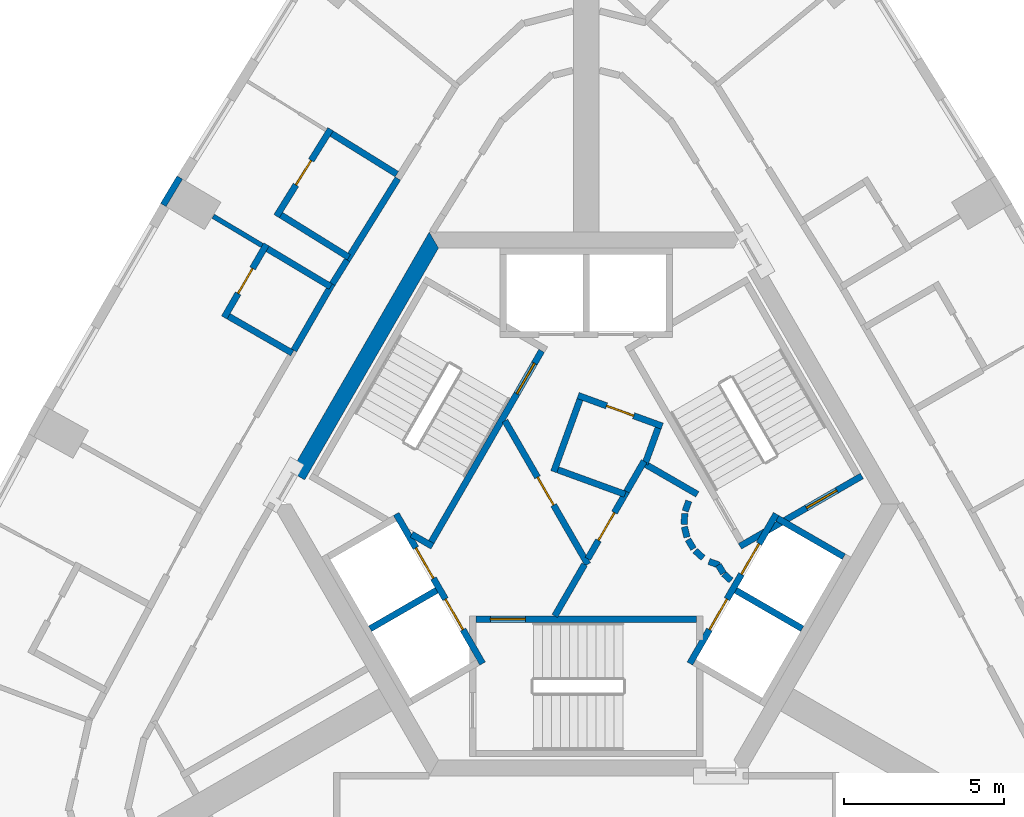
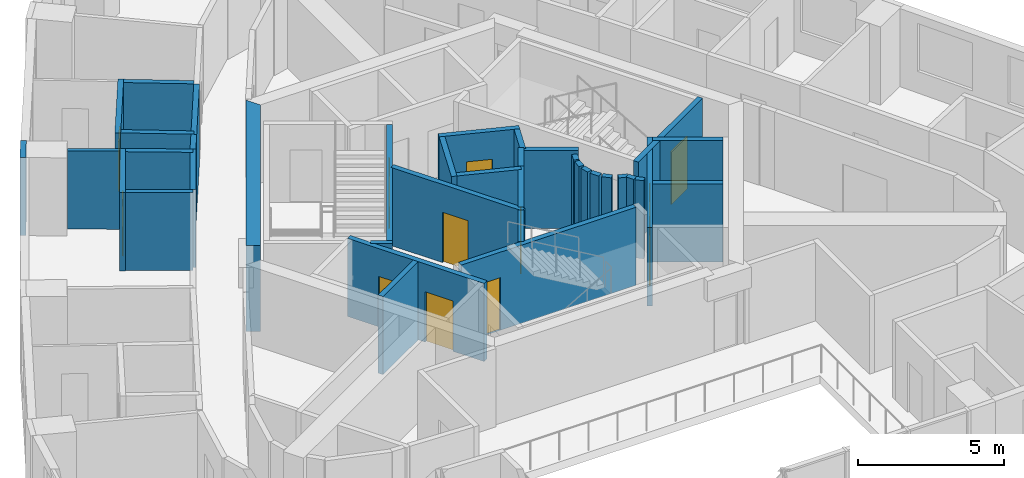
# One storey, part 4 of 10: 38 walls, 12 doors, 12 openings.
"""IFC4 building model written with IfcOpenShell, lengths in metres."""

from ifc_helpers import new_model, si_unit, direction, frame, frame_2d, origin, place, context, subcontext, project, spatial, polyline, rectangle, outline, extrude, material, layer, layer_set, type_object, element, fill, save


model = new_model("IFC4")

# Units and contexts
model_context = context("Model", 3, precision=1e-05, world=origin(), true_north=direction((0.0, 1.0)))
body_context = subcontext(model_context, "Body", "Model", "MODEL_VIEW")
ifc_project = project(units=[si_unit("LENGTHUNIT", "METRE"), si_unit("AREAUNIT", "SQUARE_METRE"), si_unit("VOLUMEUNIT", "CUBIC_METRE"), si_unit("PLANEANGLEUNIT", "RADIAN"), si_unit("MASSUNIT", "GRAM", prefix="KILO")], contexts=[model_context])

# Site, building, storey
site_placement = place(None, origin())
site = spatial("IfcSite", under=ifc_project, at=site_placement, CompositionType="ELEMENT")
building_placement = place(site_placement, origin())
building = spatial("IfcBuilding", under=site, at=building_placement, Name="Entoto Arch Interchange Tower", CompositionType="ELEMENT")
storey_placement = place(building_placement, frame((0.0, 0.0, 293.60009765625)))
storey = spatial("IfcBuildingStorey", under=building, at=storey_placement, Name="L68", CompositionType="ELEMENT", Elevation=293.60009765625)

# Wall
ifc_material_1 = material(Name="Concrete C40/50", Category="concrete")
ifc_layer_1 = layer(ifc_material_1, 0.5)
ifc_layer_set_1 = layer_set([ifc_layer_1], Name="Concrete C40/50")
wall_type_1 = type_object("IfcWallType", Name="Core wall 500 C40/50", PredefinedType="SHEAR", material=ifc_layer_set_1)
wall_1_placement = place(storey_placement, frame((0.0, 0.0, -0.340087890625)))
element("IfcWall", 1, at=wall_1_placement, inside=storey, type_object=wall_type_1, Name="Core wall NW L68", PredefinedType="SHEAR", context=body_context, shape_type="SweptSolid", body=[
    extrude(outline(polyline([(-9.236083984375, 3.501953125), (-8.802978515625, 3.2529296875), (-4.618896484375, 10.5), (-4.906982421875, 11.0), (-9.236083984375, 3.501953125)])), origin(), (0.0, 0.0, 1.0), 3.60009765625),
])

# Wall, openings, doors
ifc_layer_2 = layer(ifc_material_1, 0.199951171875)
ifc_layer_set_2 = layer_set([ifc_layer_2], Name="Concrete C40/50")
wall_type_2 = type_object("IfcWallType", Name="LIFT SHAFT WALL 200", PredefinedType="STANDARD", material=ifc_layer_set_2)
wall_2_placement = place(storey_placement, frame((-5.93994140625, 2.18798828125, 0.0), z_axis=(0.0, 0.0, 1.0), x_axis=(0.500034260056, -0.866005622828, 0.0)))
wall_2 = element("IfcWall", 2, at=wall_2_placement, inside=storey, type_object=wall_type_2, Name="Shaft wall SW1 front", PredefinedType="STANDARD", context=body_context, shape_type="SweptSolid", body=[
    extrude(rectangle(XDim=5.3994140625, YDim=0.199951171875, at=frame_2d((2.69970703125, 0.0))), origin(), (0.0, 0.0, 1.0), 3.260009765625),
])
opening_1_placement = place(wall_2_placement, frame((3.074951171875, 0.0, 0.0)))
opening_1 = element("IfcOpeningElement", 3, at=opening_1_placement, cuts=wall_2, Name="Opening LD-HR4-L68", PredefinedType="OPENING", context=body_context, shape_type="SweptSolid", body=[
    extrude(rectangle(XDim=1.10009765625, YDim=2.10009765625, at=frame_2d((0.550048828125, 1.050048828125))), frame((0.0, 0.10986328125, 0.0), z_axis=(0.0, -1.0, 0.0), x_axis=(1.0, 0.0, 0.0)), (0.0, 0.0, 1.0), 0.219970703125),
])
opening_2_placement = place(wall_2_placement, frame((1.22509765625, 0.0, 0.0)))
opening_2 = element("IfcOpeningElement", 4, at=opening_2_placement, cuts=wall_2, Name="Opening LD-FF2-L68", PredefinedType="OPENING", context=body_context, shape_type="SweptSolid", body=[
    extrude(rectangle(XDim=1.10009765625, YDim=2.10009765625, at=frame_2d((0.550048828125, 1.050048828125))), frame((0.0, 0.10986328125, 0.0), z_axis=(0.0, -1.0, 0.0), x_axis=(1.0, 0.0, 0.0)), (0.0, 0.0, 1.0), 0.219970703125),
])
ifc_material_2 = material(Name="Stainless steel 1.4301 panels", Category="steel")
door_type_1 = type_object("IfcDoorType", Name="LIFT LANDING DOOR LD1 1100x2100", OperationType="SLIDING_TO_LEFT", PredefinedType="DOOR", material=ifc_material_2)
door_1_placement = place(opening_1_placement, origin())
door_1 = element("IfcDoor", 5, at=door_1_placement, inside=storey, type_object=door_type_1, Name="Lift landing door HR4 L68", OperationType="SLIDING_TO_LEFT", OverallHeight=2.10009765625, OverallWidth=1.10009765625, PredefinedType="DOOR", context=body_context, shape_type="SweptSolid", body=[
    extrude(rectangle(XDim=1.10009765625, YDim=2.10009765625, at=frame_2d((0.550048828125, 1.050048828125))), frame((0.0, 0.02490234375, 0.0), z_axis=(0.0, -1.0, 0.0), x_axis=(1.0, 0.0, 0.0)), (0.0, 0.0, 1.0), 0.050048828125),
])
fill(opening_1, door_1)
door_2_placement = place(opening_2_placement, origin())
door_2 = element("IfcDoor", 6, at=door_2_placement, inside=storey, type_object=door_type_1, Name="Lift landing door FF2 L68", OperationType="SLIDING_TO_LEFT", OverallHeight=2.10009765625, OverallWidth=1.10009765625, PredefinedType="DOOR", context=body_context, shape_type="SweptSolid", body=[
    extrude(rectangle(XDim=1.10009765625, YDim=2.10009765625, at=frame_2d((0.550048828125, 1.050048828125))), frame((0.0, 0.02490234375, 0.0), z_axis=(0.0, -1.0, 0.0), x_axis=(1.0, 0.0, 0.0)), (0.0, 0.0, 1.0), 0.050048828125),
])
fill(opening_2, door_2)

# Wall
wall_3_placement = place(storey_placement, frame((-4.677001953125, -0.199951171875, 0.0), z_axis=(0.0, 0.0, 1.0), x_axis=(-0.865973769406, -0.500089422704, 0.0)))
element("IfcWall", 7, at=wall_3_placement, inside=storey, type_object=wall_type_2, Name="Shaft wall SW1 cross 2", PredefinedType="STANDARD", context=body_context, shape_type="SweptSolid", body=[
    extrude(rectangle(XDim=2.3994140625, YDim=0.199951171875, at=frame_2d((1.19970703125, 0.0))), origin(), (0.0, 0.0, 1.0), 3.260009765625),
])

# Wall, openings, doors
wall_4_placement = place(storey_placement, frame((3.239990234375, -2.488037109375, 0.0), z_axis=(0.0, 0.0, 1.0), x_axis=(0.500034260056, 0.866005622828, 0.0)))
wall_4 = element("IfcWall", 8, at=wall_4_placement, inside=storey, type_object=wall_type_2, Name="Shaft wall SE1 front", PredefinedType="STANDARD", context=body_context, shape_type="SweptSolid", body=[
    extrude(rectangle(XDim=5.3994140625, YDim=0.199951171875, at=frame_2d((2.69970703125, 0.0))), origin(), (0.0, 0.0, 1.0), 3.260009765625),
])
opening_3_placement = place(wall_4_placement, frame((3.22509765625, 0.0, 0.0)))
opening_3 = element("IfcOpeningElement", 9, at=opening_3_placement, cuts=wall_4, Name="Opening LD-HR3-L68", PredefinedType="OPENING", context=body_context, shape_type="SweptSolid", body=[
    extrude(rectangle(XDim=1.10009765625, YDim=2.10009765625, at=frame_2d((0.550048828125, 1.050048828125))), frame((0.0, 0.10986328125, 0.0), z_axis=(0.0, -1.0, 0.0), x_axis=(1.0, 0.0, 0.0)), (0.0, 0.0, 1.0), 0.219970703125),
])
opening_4_placement = place(wall_4_placement, frame((1.22509765625, 0.0, 0.0)))
opening_4 = element("IfcOpeningElement", 10, at=opening_4_placement, cuts=wall_4, Name="Opening LD-FF1-L68", PredefinedType="OPENING", context=body_context, shape_type="SweptSolid", body=[
    extrude(rectangle(XDim=1.10009765625, YDim=2.10009765625, at=frame_2d((0.550048828125, 1.050048828125))), frame((0.0, 0.10986328125, 0.0), z_axis=(0.0, -1.0, 0.0), x_axis=(1.0, 0.0, 0.0)), (0.0, 0.0, 1.0), 0.219970703125),
])
door_3_placement = place(opening_3_placement, origin())
door_3 = element("IfcDoor", 11, at=door_3_placement, inside=storey, type_object=door_type_1, Name="Lift landing door HR3 L68", OperationType="SLIDING_TO_LEFT", OverallHeight=2.10009765625, OverallWidth=1.10009765625, PredefinedType="DOOR", context=body_context, shape_type="SweptSolid", body=[
    extrude(rectangle(XDim=1.10009765625, YDim=2.10009765625, at=frame_2d((0.550048828125, 1.050048828125))), frame((0.0, 0.02490234375, 0.0), z_axis=(0.0, -1.0, 0.0), x_axis=(1.0, 0.0, 0.0)), (0.0, 0.0, 1.0), 0.050048828125),
])
fill(opening_3, door_3)
door_4_placement = place(opening_4_placement, origin())
door_4 = element("IfcDoor", 12, at=door_4_placement, inside=storey, type_object=door_type_1, Name="Lift landing door FF1 L68", OperationType="SLIDING_TO_LEFT", OverallHeight=2.10009765625, OverallWidth=1.10009765625, PredefinedType="DOOR", context=body_context, shape_type="SweptSolid", body=[
    extrude(rectangle(XDim=1.10009765625, YDim=2.10009765625, at=frame_2d((0.550048828125, 1.050048828125))), frame((0.0, 0.02490234375, 0.0), z_axis=(0.0, -1.0, 0.0), x_axis=(1.0, 0.0, 0.0)), (0.0, 0.0, 1.0), 0.050048828125),
])
fill(opening_4, door_4)

# Walls
for number, where, z_axis, x_axis, name in (
    (13, (4.677001953125, -0.199951171875, 0.0), (0.0, 0.0, 1.0), (0.865973769406, -0.500089422704, 0.0), "Shaft wall SE1 cross 2"),
    (14, (5.97705078125, 2.052001953125, 0.0), (0.0, 0.0, 1.0), (0.865973769406, -0.500089422704, 0.0), "Shaft wall SE1 cross 3"),
):
    element("IfcWall", number, at=place(storey_placement, frame(where, z_axis=z_axis, x_axis=x_axis)), inside=storey, type_object=wall_type_2, Name=name, PredefinedType="STANDARD", context=body_context, shape_type="SweptSolid", body=[
        extrude(rectangle(XDim=2.3994140625, YDim=0.199951171875, at=frame_2d((1.19970703125, 0.0))), origin(), (0.0, 0.0, 1.0), 3.260009765625),
    ])
ifc_material_3 = material(Name="Gypsum board partition on steel studs", Category="steel")
ifc_layer_3 = layer(ifc_material_3, 0.14990234375)
ifc_layer_set_3 = layer_set([ifc_layer_3], Name="Gypsum board partition on steel studs")
wall_type_3 = type_object("IfcWallType", Name="PARTITION 150", PredefinedType="PARTITIONING", material=ifc_layer_set_3)
wall_5_placement = place(storey_placement, frame((-10.133056640625, 10.580078125, 0.0), z_axis=(0.0, 0.0, 1.0), x_axis=(-0.857903919212, 0.513810145287, 0.0)))
element("IfcWall", 15, at=wall_5_placement, inside=storey, type_object=wall_type_3, Name="wall:L68:p117", PredefinedType="PARTITIONING", context=body_context, shape_type="SweptSolid", body=[
    extrude(rectangle(XDim=1.781005859375, YDim=0.14990234375, at=frame_2d((0.890625, 0.0))), origin(), (0.0, 0.0, 1.0), 3.260009765625),
])
ifc_layer_4 = layer(ifc_material_3, 0.199951171875)
ifc_layer_set_4 = layer_set([ifc_layer_4], Name="Gypsum board partition on steel studs")
wall_type_4 = type_object("IfcWallType", Name="PARTITION 200", PredefinedType="PARTITIONING", material=ifc_layer_set_4)
wall_6_placement = place(storey_placement, frame((1.263916015625, 2.889892578125, 0.0), z_axis=(0.0, 0.0, 1.0), x_axis=(0.500043792738, 0.866000118559, 0.0)))
element("IfcWall", 16, at=wall_6_placement, inside=storey, type_object=wall_type_4, Name="wall:L68:p001", PredefinedType="PARTITIONING", context=body_context, shape_type="SweptSolid", body=[
    extrude(rectangle(XDim=1.09619140625, YDim=0.199951171875, at=frame_2d((0.548095703125, 0.0))), origin(), (0.0, 0.0, 1.0), 3.260009765625),
])
wall_7_placement = place(storey_placement, frame((1.837890625, 3.748046875, 0.0), z_axis=(0.0, 0.0, 1.0), x_axis=(0.342266462435, 0.939602931398, 0.0)))
element("IfcWall", 17, at=wall_7_placement, inside=storey, type_object=wall_type_4, Name="wall:L68:p002", PredefinedType="PARTITIONING", context=body_context, shape_type="SweptSolid", body=[
    extrude(rectangle(XDim=1.1982421875, YDim=0.199951171875, at=frame_2d((0.59912109375, 0.0))), origin(), (0.0, 0.0, 1.0), 3.260009765625),
])

# Wall, opening, door
wall_8_placement = place(storey_placement, frame((2.3759765625, 4.93408203125, 0.0), z_axis=(0.0, 0.0, 1.0), x_axis=(-0.939640574808, 0.342163104635, 0.0)))
wall_8 = element("IfcWall", 18, at=wall_8_placement, inside=storey, type_object=wall_type_4, Name="wall:L68:p003", PredefinedType="PARTITIONING", context=body_context, shape_type="SweptSolid", body=[
    extrude(rectangle(XDim=2.7998046875, YDim=0.199951171875, at=frame_2d((1.39990234375, 0.0))), origin(), (0.0, 0.0, 1.0), 3.260009765625),
])
opening_5_placement = place(wall_8_placement, frame((0.949951171875, 0.0, 0.0)))
opening_5 = element("IfcOpeningElement", 19, at=opening_5_placement, cuts=wall_8, Name="Opening L68-D36", PredefinedType="OPENING", context=body_context, shape_type="SweptSolid", body=[
    extrude(rectangle(XDim=0.89990234375, YDim=2.10009765625, at=frame_2d((0.449951171875, 1.050048828125))), frame((0.0, 0.10986328125, 0.0), z_axis=(0.0, -1.0, 0.0), x_axis=(1.0, 0.0, 0.0)), (0.0, 0.0, 1.0), 0.219970703125),
])
ifc_material_4 = material(Name="Timber door leaf in Steel S235 frame", Category="steel")
door_type_2 = type_object("IfcDoorType", Name="DOOR DS-09 900x2100", OperationType="SINGLE_SWING_LEFT", PredefinedType="DOOR", material=ifc_material_4)
door_5_placement = place(opening_5_placement, origin())
door_5 = element("IfcDoor", 20, at=door_5_placement, inside=storey, type_object=door_type_2, Name="door:L68:36", OperationType="SINGLE_SWING_LEFT", OverallHeight=2.10009765625, OverallWidth=0.89990234375, PredefinedType="DOOR", context=body_context, shape_type="SweptSolid", body=[
    extrude(rectangle(XDim=0.89990234375, YDim=2.10009765625, at=frame_2d((0.449951171875, 1.050048828125))), frame((0.0, 0.02490234375, 0.0), z_axis=(0.0, -1.0, 0.0), x_axis=(1.0, 0.0, 0.0)), (0.0, 0.0, 1.0), 0.050048828125),
])
fill(opening_5, door_5)

# Walls
wall_9_placement = place(storey_placement, frame((-0.196044921875, 5.763916015625, 0.0), z_axis=(0.0, 0.0, 1.0), x_axis=(-0.34165322761, -0.939826086073, 0.0)))
element("IfcWall", 21, at=wall_9_placement, inside=storey, type_object=wall_type_4, Name="wall:L68:p004", PredefinedType="PARTITIONING", context=body_context, shape_type="SweptSolid", body=[
    extrude(rectangle(XDim=2.400390625, YDim=0.199951171875, at=frame_2d((1.2001953125, 0.0))), origin(), (0.0, 0.0, 1.0), 3.260009765625),
])
wall_10_placement = place(storey_placement, frame((-0.887939453125, 3.568115234375, 0.0), z_axis=(0.0, 0.0, 1.0), x_axis=(0.939685034098, -0.34204098686, 0.0)))
element("IfcWall", 22, at=wall_10_placement, inside=storey, type_object=wall_type_4, Name="wall:L68:p005", PredefinedType="PARTITIONING", context=body_context, shape_type="SweptSolid", body=[
    extrude(rectangle(XDim=2.237060546875, YDim=0.199951171875, at=frame_2d((1.11865234375, 0.0))), origin(), (0.0, 0.0, 1.0), 3.260009765625),
])
wall_11_placement = place(storey_placement, frame((-7.93701171875, 9.3798828125, 0.0), z_axis=(0.0, 0.0, 1.0), x_axis=(0.52850186976, 0.848932137252, 0.0)))
element("IfcWall", 23, at=wall_11_placement, inside=storey, type_object=wall_type_4, Name="wall:L68:p047", PredefinedType="PARTITIONING", context=body_context, shape_type="SweptSolid", body=[
    extrude(rectangle(XDim=0.880126953125, YDim=0.199951171875, at=frame_2d((0.43994140625, 0.0))), origin(), (0.0, 0.0, 1.0), 3.260009765625),
])
wall_12_placement = place(storey_placement, frame((-7.471923828125, 10.126953125, 0.0), z_axis=(0.0, 0.0, 1.0), x_axis=(0.527707224705, 0.849426326996, 0.0)))
element("IfcWall", 24, at=wall_12_placement, inside=storey, type_object=wall_type_4, Name="wall:L68:p048", PredefinedType="PARTITIONING", context=body_context, shape_type="SweptSolid", body=[
    extrude(rectangle(XDim=2.999755859375, YDim=0.199951171875, at=frame_2d((1.5, 0.0))), origin(), (0.0, 0.0, 1.0), 3.260009765625),
])
wall_13_placement = place(storey_placement, frame((-9.138916015625, 7.302978515625, 0.0), z_axis=(0.0, 0.0, 1.0), x_axis=(0.499869187296, 0.866100915363, 0.0)))
element("IfcWall", 25, at=wall_13_placement, inside=storey, type_object=wall_type_4, Name="wall:L68:p050", PredefinedType="PARTITIONING", context=body_context, shape_type="SweptSolid", body=[
    extrude(rectangle(XDim=2.400634765625, YDim=0.199951171875, at=frame_2d((1.2001953125, 0.0))), origin(), (0.0, 0.0, 1.0), 3.260009765625),
])
wall_14_placement = place(storey_placement, frame((-0.98193359375, -1.0, 0.0), z_axis=(0.0, 0.0, 1.0), x_axis=(0.50024047865, 0.865886518847, 0.0)))
element("IfcWall", 26, at=wall_14_placement, inside=storey, type_object=wall_type_4, Name="wall:L68:p061", PredefinedType="PARTITIONING", context=body_context, shape_type="SweptSolid", body=[
    extrude(rectangle(XDim=1.86279296875, YDim=0.199951171875, at=frame_2d((0.931396484375, 0.0))), origin(), (0.0, 0.0, 1.0), 3.260009765625),
])

# Wall, opening, door
wall_15_placement = place(storey_placement, frame((0.050048828125, 0.787109375, 0.0), z_axis=(0.0, 0.0, 1.0), x_axis=(0.499945861543, 0.866056658381, 0.0)))
wall_15 = element("IfcWall", 27, at=wall_15_placement, inside=storey, type_object=wall_type_4, Name="wall:L68:p062", PredefinedType="PARTITIONING", context=body_context, shape_type="SweptSolid", body=[
    extrude(rectangle(XDim=2.427978515625, YDim=0.199951171875, at=frame_2d((1.2138671875, 0.0))), origin(), (0.0, 0.0, 1.0), 3.260009765625),
])
opening_6_placement = place(wall_15_placement, frame((0.6640625, 0.0, 0.0)))
opening_6 = element("IfcOpeningElement", 28, at=opening_6_placement, cuts=wall_15, Name="Opening L68-D34", PredefinedType="OPENING", context=body_context, shape_type="SweptSolid", body=[
    extrude(rectangle(XDim=1.0, YDim=2.10009765625, at=frame_2d((0.5, 1.050048828125))), frame((0.0, 0.10986328125, 0.0), z_axis=(0.0, -1.0, 0.0), x_axis=(1.0, 0.0, 0.0)), (0.0, 0.0, 1.0), 0.219970703125),
])
ifc_material_5 = material(Name="Fire-rated Steel S235 door and frame", Category="steel")
door_type_3 = type_object("IfcDoorType", Name="DOOR FD-10 1000x2100", OperationType="SINGLE_SWING_LEFT", PredefinedType="DOOR", material=ifc_material_5)
door_6_placement = place(opening_6_placement, origin())
door_6 = element("IfcDoor", 29, at=door_6_placement, inside=storey, type_object=door_type_3, Name="door:L68:34", OperationType="SINGLE_SWING_RIGHT", OverallHeight=2.10009765625, OverallWidth=1.0, PredefinedType="DOOR", context=body_context, shape_type="SweptSolid", body=[
    extrude(rectangle(XDim=1.0, YDim=2.10009765625, at=frame_2d((0.5, 1.050048828125))), frame((0.0, 0.02490234375, 0.0), z_axis=(0.0, -1.0, 0.0), x_axis=(1.0, 0.0, 0.0)), (0.0, 0.0, 1.0), 0.050048828125),
])
fill(opening_6, door_6)

# Walls
wall_16_placement = place(storey_placement, frame((1.7509765625, 3.798095703125, 0.0), z_axis=(0.0, 0.0, 1.0), x_axis=(0.866091650241, -0.499885240213, 0.0)))
element("IfcWall", 30, at=wall_16_placement, inside=storey, type_object=wall_type_4, Name="wall:L68:p063", PredefinedType="PARTITIONING", context=body_context, shape_type="SweptSolid", body=[
    extrude(rectangle(XDim=1.99072265625, YDim=0.199951171875, at=frame_2d((0.995361328125, 0.0))), origin(), (0.0, 0.0, 1.0), 3.260009765625),
])
wall_17_placement = place(storey_placement, frame((3.2080078125, 2.592041015625, 0.0), z_axis=(0.0, 0.0, 1.0), x_axis=(-0.337388820924, -0.941365382578, 0.0)))
element("IfcWall", 31, at=wall_17_placement, inside=storey, type_object=wall_type_4, Name="wall:L68:p064", PredefinedType="PARTITIONING", context=body_context, shape_type="SweptSolid", body=[
    extrude(rectangle(XDim=0.337890625, YDim=0.199951171875, at=frame_2d((0.1689453125, 0.0))), origin(), (0.0, 0.0, 1.0), 3.260009765625),
])
wall_18_placement = place(storey_placement, frame((3.0791015625, 2.198974609375, 0.0), z_axis=(0.0, 0.0, 1.0), x_axis=(-0.047771483479, -0.998858290933, 0.0)))
element("IfcWall", 32, at=wall_18_placement, inside=storey, type_object=wall_type_4, Name="wall:L68:p065", PredefinedType="PARTITIONING", context=body_context, shape_type="SweptSolid", body=[
    extrude(rectangle(XDim=0.33740234375, YDim=0.199951171875, at=frame_2d((0.168701171875, 0.0))), origin(), (0.0, 0.0, 1.0), 3.260009765625),
])
wall_19_placement = place(storey_placement, frame((3.070068359375, 1.785888671875, 0.0), z_axis=(0.0, 0.0, 1.0), x_axis=(0.242705583207, -0.970099994784, 0.0)))
element("IfcWall", 33, at=wall_19_placement, inside=storey, type_object=wall_type_4, Name="wall:L68:p066", PredefinedType="PARTITIONING", context=body_context, shape_type="SweptSolid", body=[
    extrude(rectangle(XDim=0.337890625, YDim=0.199951171875, at=frame_2d((0.1689453125, 0.0))), origin(), (0.0, 0.0, 1.0), 3.260009765625),
])
for number, where, z_axis, x_axis, name in (
    (34, (3.181884765625, 1.387939453125, 0.0), (0.0, 0.0, 1.0), (0.512474702713, -0.85870232274, 0.0), "wall:L68:p067"),
    (35, (3.404052734375, 1.0390625, 0.0), (0.0, 0.0, 1.0), (0.740267097712, -0.672312891476, 0.0), "wall:L68:p068"),
):
    element("IfcWall", number, at=place(storey_placement, frame(where, z_axis=z_axis, x_axis=x_axis)), inside=storey, type_object=wall_type_4, Name=name, PredefinedType="PARTITIONING", context=body_context, shape_type="SweptSolid", body=[
        extrude(rectangle(XDim=0.337646484375, YDim=0.199951171875, at=frame_2d((0.1689453125, 0.0))), origin(), (0.0, 0.0, 1.0), 3.260009765625),
    ])
wall_20_placement = place(storey_placement, frame((3.837890625, 0.701904296875, 0.0), z_axis=(0.0, 0.0, 1.0), x_axis=(0.941035081519, -0.338308993895, 0.0)))
element("IfcWall", 36, at=wall_20_placement, inside=storey, type_object=wall_type_4, Name="wall:L68:p069", PredefinedType="PARTITIONING", context=body_context, shape_type="SweptSolid", body=[
    extrude(rectangle(XDim=0.3369140625, YDim=0.199951171875, at=frame_2d((0.16845703125, 0.0))), origin(), (0.0, 0.0, 1.0), 3.260009765625),
])
wall_21_placement = place(storey_placement, frame((4.132080078125, 0.593017578125, 0.0), z_axis=(0.0, 0.0, 1.0), x_axis=(0.513561617048, -0.858052717201, 0.0)))
element("IfcWall", 37, at=wall_21_placement, inside=storey, type_object=wall_type_4, Name="wall:L68:p070", PredefinedType="PARTITIONING", context=body_context, shape_type="SweptSolid", body=[
    extrude(rectangle(XDim=0.3076171875, YDim=0.199951171875, at=frame_2d((0.15380859375, 0.0))), origin(), (0.0, 0.0, 1.0), 3.260009765625),
])
wall_22_placement = place(storey_placement, frame((4.301025390625, 0.31494140625, 0.0), z_axis=(0.0, 0.0, 1.0), x_axis=(0.741798017506, -0.670623367639, 0.0)))
element("IfcWall", 38, at=wall_22_placement, inside=storey, type_object=wall_type_4, Name="wall:L68:p071", PredefinedType="PARTITIONING", context=body_context, shape_type="SweptSolid", body=[
    extrude(rectangle(XDim=0.30859375, YDim=0.199951171875, at=frame_2d((0.154296875, 0.0))), origin(), (0.0, 0.0, 1.0), 3.260009765625),
])

# Wall, opening, door
wall_23_placement = place(storey_placement, frame((-2.5400390625, 5.10009765625, 0.0), z_axis=(0.0, 0.0, 1.0), x_axis=(0.499925051871, -0.866068670783, 0.0)))
wall_23 = element("IfcWall", 39, at=wall_23_placement, inside=storey, type_object=wall_type_4, Name="wall:L68:p072", PredefinedType="PARTITIONING", context=body_context, shape_type="SweptSolid", body=[
    extrude(rectangle(XDim=5.180908203125, YDim=0.199951171875, at=frame_2d((2.59033203125, 0.0))), origin(), (0.0, 0.0, 1.0), 3.260009765625),
])
opening_7_placement = place(wall_23_placement, frame((2.0400390625, 0.0, 0.0)))
opening_7 = element("IfcOpeningElement", 40, at=opening_7_placement, cuts=wall_23, Name="Opening L68-D35", PredefinedType="OPENING", context=body_context, shape_type="SweptSolid", body=[
    extrude(rectangle(XDim=1.0, YDim=2.10009765625, at=frame_2d((0.5, 1.050048828125))), frame((0.0, 0.10986328125, 0.0), z_axis=(0.0, -1.0, 0.0), x_axis=(1.0, 0.0, 0.0)), (0.0, 0.0, 1.0), 0.219970703125),
])
door_7_placement = place(opening_7_placement, origin())
door_7 = element("IfcDoor", 41, at=door_7_placement, inside=storey, type_object=door_type_3, Name="door:L68:35", OperationType="SINGLE_SWING_RIGHT", OverallHeight=2.10009765625, OverallWidth=1.0, PredefinedType="DOOR", context=body_context, shape_type="SweptSolid", body=[
    extrude(rectangle(XDim=1.0, YDim=2.10009765625, at=frame_2d((0.5, 1.050048828125))), frame((0.0, 0.02490234375, 0.0), z_axis=(0.0, -1.0, 0.0), x_axis=(1.0, 0.0, 0.0)), (0.0, 0.0, 1.0), 0.050048828125),
])
fill(opening_7, door_7)

# Wall
wall_24_placement = place(storey_placement, frame((-5.9208984375, 12.81298828125, 0.0), z_axis=(0.0, 0.0, 1.0), x_axis=(-0.849366650736, 0.527803270752, 0.0)))
element("IfcWall", 42, at=wall_24_placement, inside=storey, type_object=wall_type_4, Name="wall:L68:p114", PredefinedType="PARTITIONING", context=body_context, shape_type="SweptSolid", body=[
    extrude(rectangle(XDim=2.400634765625, YDim=0.199951171875, at=frame_2d((1.2001953125, 0.0))), origin(), (0.0, 0.0, 1.0), 3.260009765625),
])

# Wall, opening, door
wall_25_placement = place(storey_placement, frame((-7.991943359375, 14.217041015625, 0.0), z_axis=(0.0, 0.0, 1.0), x_axis=(-0.527795797674, -0.849371294522, 0.0)))
wall_25 = element("IfcWall", 43, at=wall_25_placement, inside=storey, type_object=wall_type_4, Name="wall:L68:p115", PredefinedType="PARTITIONING", context=body_context, shape_type="SweptSolid", body=[
    extrude(rectangle(XDim=3.199951171875, YDim=0.199951171875, at=frame_2d((1.60009765625, 0.0))), origin(), (0.0, 0.0, 1.0), 3.260009765625),
])
opening_8_placement = place(wall_25_placement, frame((1.14990234375, 0.0, 0.0)))
opening_8 = element("IfcOpeningElement", 44, at=opening_8_placement, cuts=wall_25, Name="Opening L68-D18", PredefinedType="OPENING", context=body_context, shape_type="SweptSolid", body=[
    extrude(rectangle(XDim=0.89990234375, YDim=2.10009765625, at=frame_2d((0.449951171875, 1.050048828125))), frame((0.0, 0.10986328125, 0.0), z_axis=(0.0, -1.0, 0.0), x_axis=(1.0, 0.0, 0.0)), (0.0, 0.0, 1.0), 0.219970703125),
])
door_8_placement = place(opening_8_placement, origin())
door_8 = element("IfcDoor", 45, at=door_8_placement, inside=storey, type_object=door_type_2, Name="door:L68:18", OperationType="SINGLE_SWING_LEFT", OverallHeight=2.10009765625, OverallWidth=0.89990234375, PredefinedType="DOOR", context=body_context, shape_type="SweptSolid", body=[
    extrude(rectangle(XDim=0.89990234375, YDim=2.10009765625, at=frame_2d((0.449951171875, 1.050048828125))), frame((0.0, 0.02490234375, 0.0), z_axis=(0.0, -1.0, 0.0), x_axis=(1.0, 0.0, 0.0)), (0.0, 0.0, 1.0), 0.050048828125),
])
fill(opening_8, door_8)

# Walls
wall_26_placement = place(storey_placement, frame((-9.54296875, 11.531005859375, 0.0), z_axis=(0.0, 0.0, 1.0), x_axis=(0.849400119549, -0.527749407305, 0.0)))
element("IfcWall", 46, at=wall_26_placement, inside=storey, type_object=wall_type_4, Name="wall:L68:p116", PredefinedType="PARTITIONING", context=body_context, shape_type="SweptSolid", body=[
    extrude(rectangle(XDim=2.49951171875, YDim=0.199951171875, at=frame_2d((1.249755859375, 0.0))), origin(), (0.0, 0.0, 1.0), 3.260009765625),
])
wall_27_placement = place(storey_placement, frame((-7.989013671875, 9.294921875, 0.0), z_axis=(0.0, 0.0, 1.0), x_axis=(-0.857801856135, 0.513980520654, 0.0)))
element("IfcWall", 47, at=wall_27_placement, inside=storey, type_object=wall_type_4, Name="wall:L68:p118", PredefinedType="PARTITIONING", context=body_context, shape_type="SweptSolid", body=[
    extrude(rectangle(XDim=2.300048828125, YDim=0.199951171875, at=frame_2d((1.14990234375, 0.0))), origin(), (0.0, 0.0, 1.0), 3.260009765625),
])

# Wall, opening, door
wall_28_placement = place(storey_placement, frame((-9.9970703125, 10.614990234375, 0.0), z_axis=(0.0, 0.0, 1.0), x_axis=(-0.500525697837, -0.865721679182, 0.0)))
wall_28 = element("IfcWall", 48, at=wall_28_placement, inside=storey, type_object=wall_type_4, Name="wall:L68:p119", PredefinedType="PARTITIONING", context=body_context, shape_type="SweptSolid", body=[
    extrude(rectangle(XDim=2.639404296875, YDim=0.199951171875, at=frame_2d((1.31982421875, 0.0))), origin(), (0.0, 0.0, 1.0), 3.260009765625),
])
opening_9_placement = place(wall_28_placement, frame((0.868896484375, 0.0, 0.0)))
opening_9 = element("IfcOpeningElement", 49, at=opening_9_placement, cuts=wall_28, Name="Opening L68-D20", PredefinedType="OPENING", context=body_context, shape_type="SweptSolid", body=[
    extrude(rectangle(XDim=0.89990234375, YDim=2.10009765625, at=frame_2d((0.449951171875, 1.050048828125))), frame((0.0, 0.10986328125, 0.0), z_axis=(0.0, -1.0, 0.0), x_axis=(1.0, 0.0, 0.0)), (0.0, 0.0, 1.0), 0.219970703125),
])
door_9_placement = place(opening_9_placement, origin())
door_9 = element("IfcDoor", 50, at=door_9_placement, inside=storey, type_object=door_type_2, Name="door:L68:20", OperationType="SINGLE_SWING_LEFT", OverallHeight=2.10009765625, OverallWidth=0.89990234375, PredefinedType="DOOR", context=body_context, shape_type="SweptSolid", body=[
    extrude(rectangle(XDim=0.89990234375, YDim=2.10009765625, at=frame_2d((0.449951171875, 1.050048828125))), frame((0.0, 0.02490234375, 0.0), z_axis=(0.0, -1.0, 0.0), x_axis=(1.0, 0.0, 0.0)), (0.0, 0.0, 1.0), 0.050048828125),
])
fill(opening_9, door_9)

# Wall
wall_29_placement = place(storey_placement, frame((-11.180908203125, 8.366943359375, 0.0), z_axis=(0.0, 0.0, 1.0), x_axis=(0.866053019151, -0.499952165731, 0.0)))
element("IfcWall", 51, at=wall_29_placement, inside=storey, type_object=wall_type_4, Name="wall:L68:p120", PredefinedType="PARTITIONING", context=body_context, shape_type="SweptSolid", body=[
    extrude(rectangle(XDim=2.300048828125, YDim=0.199951171875, at=frame_2d((1.14990234375, 0.0))), origin(), (0.0, 0.0, 1.0), 3.260009765625),
])

# Wall, opening, door
ifc_layer_5 = layer(ifc_material_1, 0.199951171875)
ifc_layer_set_5 = layer_set([ifc_layer_5], Name="Concrete C40/50")
wall_type_5 = type_object("IfcWallType", Name="STAIR ENCLOSURE WALL 200", PredefinedType="STANDARD", material=ifc_layer_set_5)
wall_30_placement = place(storey_placement, frame((-3.449951171875, -1.10009765625, 0.0), z_axis=(0.0, 0.0, 1.0), x_axis=(1.0, 0.0, 0.0)))
wall_30 = element("IfcWall", 52, at=wall_30_placement, inside=storey, type_object=wall_type_5, Name="Stair wall ST-S hall", PredefinedType="STANDARD", context=body_context, shape_type="SweptSolid", body=[
    extrude(rectangle(XDim=6.89990234375, YDim=0.199951171875, at=frame_2d((3.449951171875, 0.0))), origin(), (0.0, 0.0, 1.0), 3.260009765625),
])
opening_10_placement = place(wall_30_placement, frame((0.449951171875, 0.0, 0.0)))
opening_10 = element("IfcOpeningElement", 53, at=opening_10_placement, cuts=wall_30, Name="Opening SD-ST-S-L68", PredefinedType="OPENING", context=body_context, shape_type="SweptSolid", body=[
    extrude(rectangle(XDim=1.10009765625, YDim=2.199951171875, at=frame_2d((0.550048828125, 1.10009765625))), frame((0.0, 0.10986328125, 0.0), z_axis=(0.0, -1.0, 0.0), x_axis=(1.0, 0.0, 0.0)), (0.0, 0.0, 1.0), 0.219970703125),
])
ifc_material_6 = material(Name="Steel S235", Category="steel")
door_type_4 = type_object("IfcDoorType", Name="STAIR DOOR SD1 1100x2200", OperationType="SINGLE_SWING_LEFT", PredefinedType="DOOR", material=ifc_material_6)
door_10_placement = place(opening_10_placement, origin())
door_10 = element("IfcDoor", 54, at=door_10_placement, inside=storey, type_object=door_type_4, Name="Stair door ST-S L68", OperationType="SINGLE_SWING_LEFT", OverallHeight=2.199951171875, OverallWidth=1.10009765625, PredefinedType="DOOR", context=body_context, shape_type="SweptSolid", body=[
    extrude(rectangle(XDim=1.10009765625, YDim=2.199951171875, at=frame_2d((0.550048828125, 1.10009765625))), frame((0.0, 0.02490234375, 0.0), z_axis=(0.0, -1.0, 0.0), x_axis=(1.0, 0.0, 0.0)), (0.0, 0.0, 1.0), 0.050048828125),
])
fill(opening_10, door_10)

wall_31_placement = place(storey_placement, frame((4.805908203125, 1.176025390625, 0.0), z_axis=(0.0, 0.0, 1.0), x_axis=(0.866059941101, 0.499940174841, 0.0)))
wall_31 = element("IfcWall", 55, at=wall_31_placement, inside=storey, type_object=wall_type_5, Name="Stair wall ST-NE near", PredefinedType="STANDARD", context=body_context, shape_type="SweptSolid", body=[
    extrude(rectangle(XDim=4.400390625, YDim=0.199951171875, at=frame_2d((2.2001953125, 0.0))), origin(), (0.0, 0.0, 1.0), 3.260009765625),
])
opening_11_placement = place(wall_31_placement, frame((2.39990234375, 0.0, 0.0)))
opening_11 = element("IfcOpeningElement", 56, at=opening_11_placement, cuts=wall_31, Name="Opening SD-ST-NE-L68-E", PredefinedType="OPENING", context=body_context, shape_type="SweptSolid", body=[
    extrude(rectangle(XDim=1.10009765625, YDim=2.199951171875, at=frame_2d((0.550048828125, 1.10009765625))), frame((0.0, 0.10986328125, 0.0), z_axis=(0.0, -1.0, 0.0), x_axis=(1.0, 0.0, 0.0)), (0.0, 0.0, 1.0), 0.219970703125),
])
door_11_placement = place(opening_11_placement, origin())
door_11 = element("IfcDoor", 57, at=door_11_placement, inside=storey, type_object=door_type_4, Name="Stair door ST-NE L68 end", OperationType="SINGLE_SWING_LEFT", OverallHeight=2.199951171875, OverallWidth=1.10009765625, PredefinedType="DOOR", context=body_context, shape_type="SweptSolid", body=[
    extrude(rectangle(XDim=1.10009765625, YDim=2.199951171875, at=frame_2d((0.550048828125, 1.10009765625))), frame((0.0, 0.02490234375, 0.0), z_axis=(0.0, -1.0, 0.0), x_axis=(1.0, 0.0, 0.0)), (0.0, 0.0, 1.0), 0.050048828125),
])
fill(opening_11, door_11)

# Wall
wall_32_placement = place(storey_placement, frame((-4.805908203125, 1.176025390625, 0.0), z_axis=(0.0, 0.0, 1.0), x_axis=(-0.866558586415, 0.499075361355, 0.0)))
element("IfcWall", 58, at=wall_32_placement, inside=storey, type_object=wall_type_5, Name="Stair wall ST-NW far return", PredefinedType="STANDARD", context=body_context, shape_type="SweptSolid", body=[
    extrude(rectangle(XDim=0.75146484375, YDim=0.199951171875, at=frame_2d((0.375732421875, 0.0))), origin(), (0.0, 0.0, 1.0), 3.260009765625),
])

# Wall, opening, door
wall_33_placement = place(storey_placement, frame((-1.39306640625, 7.2880859375, 0.0), z_axis=(0.0, 0.0, 1.0), x_axis=(-0.499963383562, -0.866046543262, 0.0)))
wall_33 = element("IfcWall", 59, at=wall_33_placement, inside=storey, type_object=wall_type_5, Name="Stair wall ST-NW hall", PredefinedType="STANDARD", context=body_context, shape_type="SweptSolid", body=[
    extrude(rectangle(XDim=6.900390625, YDim=0.199951171875, at=frame_2d((3.4501953125, 0.0))), origin(), (0.0, 0.0, 1.0), 3.260009765625),
])
opening_12_placement = place(wall_33_placement, frame((0.449951171875, 0.0, 0.0)))
opening_12 = element("IfcOpeningElement", 60, at=opening_12_placement, cuts=wall_33, Name="Opening SD-ST-NW-L68", PredefinedType="OPENING", context=body_context, shape_type="SweptSolid", body=[
    extrude(rectangle(XDim=1.10009765625, YDim=2.199951171875, at=frame_2d((0.550048828125, 1.10009765625))), frame((0.0, 0.10986328125, 0.0), z_axis=(0.0, -1.0, 0.0), x_axis=(1.0, 0.0, 0.0)), (0.0, 0.0, 1.0), 0.219970703125),
])
door_12_placement = place(opening_12_placement, origin())
door_12 = element("IfcDoor", 61, at=door_12_placement, inside=storey, type_object=door_type_4, Name="Stair door ST-NW L68", OperationType="SINGLE_SWING_LEFT", OverallHeight=2.199951171875, OverallWidth=1.10009765625, PredefinedType="DOOR", context=body_context, shape_type="SweptSolid", body=[
    extrude(rectangle(XDim=1.10009765625, YDim=2.199951171875, at=frame_2d((0.550048828125, 1.10009765625))), frame((0.0, 0.02490234375, 0.0), z_axis=(0.0, -1.0, 0.0), x_axis=(1.0, 0.0, 0.0)), (0.0, 0.0, 1.0), 0.050048828125),
])
fill(opening_12, door_12)

# Wall
ifc_material_7 = material(Name="Welded tuff (ignimbrite) cladding, warm buff", Category="masonry")
ifc_layer_6 = layer(ifc_material_7, 0.199951171875)
ifc_layer_set_6 = layer_set([ifc_layer_6], Name="Welded tuff (ignimbrite) cladding, warm buff")
wall_type_6 = type_object("IfcWallType", Name="STONE PIER CLADDING 200", PredefinedType="STANDARD", material=ifc_layer_set_6)
wall_34_placement = place(storey_placement, frame((-12.7080078125, 12.7060546875, 0.0), z_axis=(0.0, 0.0, 1.0), x_axis=(-0.513777707721, -0.857923345672, 0.0)))
element("IfcWall", 62, at=wall_34_placement, inside=storey, type_object=wall_type_6, Name="Stone pier NW02 L68", PredefinedType="STANDARD", context=body_context, shape_type="SweptSolid", body=[
    extrude(rectangle(XDim=1.000244140625, YDim=0.199951171875, at=frame_2d((0.5, 0.0))), origin(), (0.0, 0.0, 1.0), 3.260009765625),
])

save(model, "model.ifc")
